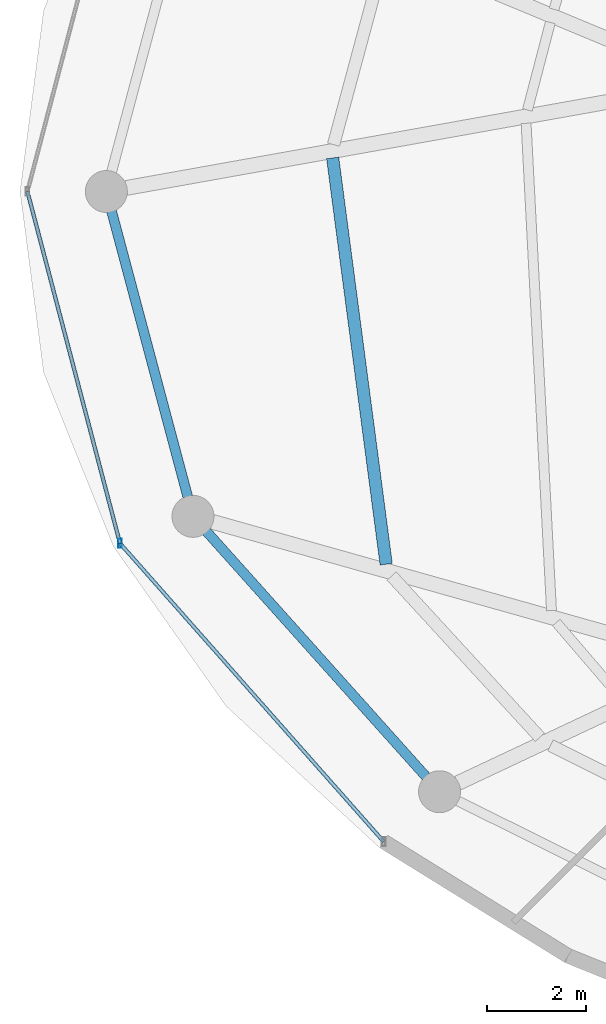
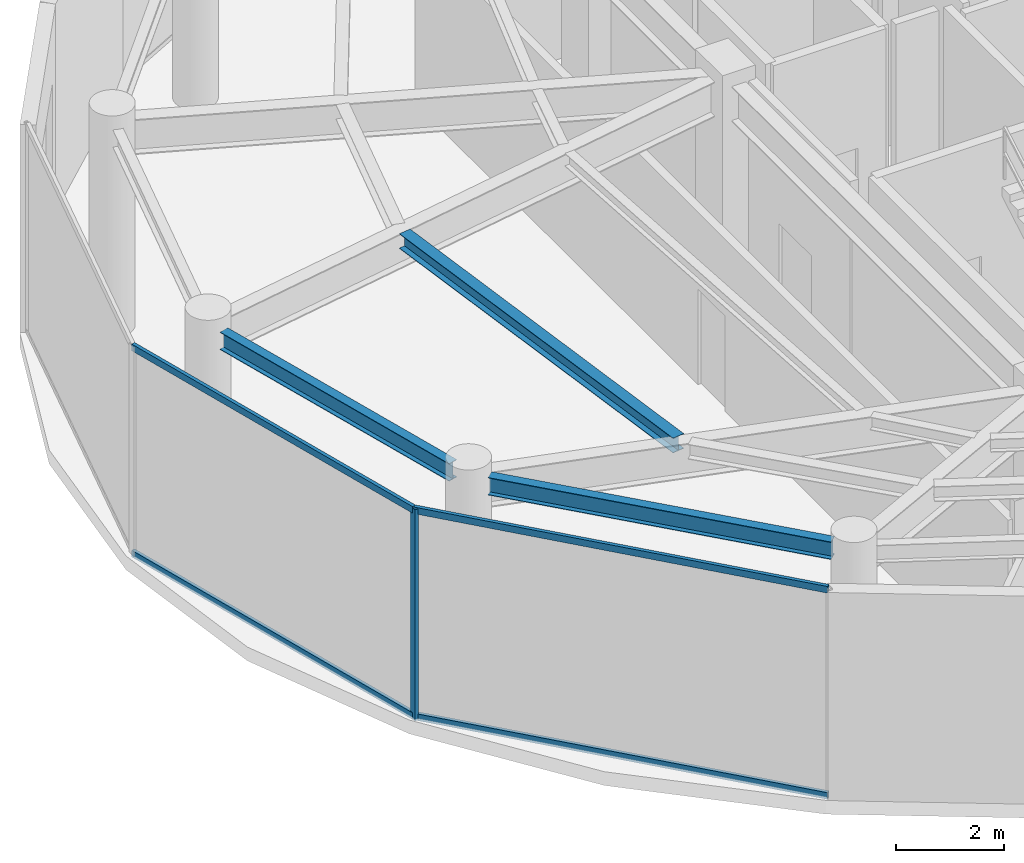
# One storey, part 3 of 24: 5 members, 3 beams, 1 element without a shape of its own.
"""IFC4 building model written with IfcOpenShell, lengths in metres."""

from ifc_helpers import new_model, si_unit, direction, frame, origin, origin_2d, place, context, subcontext, project, spatial, hollow_rectangle, i_section, extrude, material, material_profile, profile_set, type_object, element, aggregate, save


model = new_model("IFC4")

# Units and contexts
model_context = context("Model", 3, precision=1e-05, world=origin(), true_north=direction((0.0, 1.0)))
body_context = subcontext(model_context, "Body", "Model", "MODEL_VIEW")
ifc_project = project(units=[si_unit("LENGTHUNIT", "METRE"), si_unit("AREAUNIT", "SQUARE_METRE"), si_unit("VOLUMEUNIT", "CUBIC_METRE"), si_unit("PLANEANGLEUNIT", "RADIAN"), si_unit("MASSUNIT", "GRAM", prefix="KILO")], contexts=[model_context])

# Site, building, storey
site_placement = place(None, origin())
site = spatial("IfcSite", under=ifc_project, at=site_placement, CompositionType="ELEMENT")
building_placement = place(site_placement, origin())
building = spatial("IfcBuilding", under=site, at=building_placement, Name="Vorneva Point Tower", CompositionType="ELEMENT")
storey_placement = place(building_placement, frame((0.0, 0.0, 285.39990234375)))
storey = spatial("IfcBuildingStorey", under=building, at=storey_placement, Name="L77", CompositionType="ELEMENT", Elevation=285.39990234375)

# Beams
ifc_material_1 = material(Name="Steel S355", Category="steel")
ifc_material_profile_1 = material_profile(ifc_material_1, i_section(OverallWidth=0.2490234375, OverallDepth=0.333984375, WebThickness=0.008056640625, FlangeThickness=0.010986328125, at=origin_2d()), Name="35Sh1")
ifc_profile_set_1 = profile_set([ifc_material_profile_1], Name="Steel S355")
beam_type_1 = type_object("IfcBeamType", Name="BM-SEC-35Sh1", PredefinedType="BEAM", material=ifc_profile_set_1)
beam_1_placement = place(storey_placement, frame((19.53564453125, 26.68017578125, 4.523193359375), z_axis=(0.13054578094, -0.991442282273, 0.0), x_axis=(0.991442282273, 0.13054578094, 0.0)))
element("IfcBeam", 1, at=beam_1_placement, inside=storey, type_object=beam_type_1, Name="L77 Secondary Floor Beam 1.09", PredefinedType="BEAM", context=body_context, shape_type="SweptSolid", body=[
    extrude(i_section(OverallWidth=0.2490234375, OverallDepth=0.333984375, WebThickness=0.008056640625, FlangeThickness=0.010986328125, at=origin_2d()), origin(), (0.0, 0.0, 1.0), 8.303466796875),
])
ifc_material_profile_2 = material_profile(ifc_material_1, i_section(OverallWidth=0.198974609375, OverallDepth=0.39599609375, WebThickness=0.007080078125, FlangeThickness=0.010986328125, at=origin_2d()), Name="40B1")
ifc_profile_set_2 = profile_set([ifc_material_profile_2], Name="Steel S355")
beam_type_2 = type_object("IfcBeamType", Name="BM-SPN-40B1", PredefinedType="SPANDREL", material=ifc_profile_set_2)
beam_2_placement = place(storey_placement, frame((15.0556640625, 25.603759765625, 4.4921875), z_axis=(0.257586570866, -0.966255224312, 0.0), x_axis=(0.966255224312, 0.257586570866, 0.0)))
element("IfcBeam", 2, at=beam_2_placement, inside=storey, type_object=beam_type_2, Name="L77 Perimeter Spandrel Ring Beam 09", PredefinedType="SPANDREL", context=body_context, shape_type="SweptSolid", body=[
    extrude(i_section(OverallWidth=0.198974609375, OverallDepth=0.39599609375, WebThickness=0.007080078125, FlangeThickness=0.010986328125, at=origin_2d()), origin(), (0.0, 0.0, 1.0), 5.991943359375),
])
beam_3_placement = place(storey_placement, frame((16.97802734375, 19.1123046875, 4.4921875), z_axis=(0.667108282638, -0.744960763554, 0.0), x_axis=(0.744960763554, 0.667108282638, 0.0)))
element("IfcBeam", 3, at=beam_3_placement, inside=storey, type_object=beam_type_2, Name="L77 Perimeter Spandrel Ring Beam 10", PredefinedType="SPANDREL", context=body_context, shape_type="SweptSolid", body=[
    extrude(i_section(OverallWidth=0.198974609375, OverallDepth=0.39599609375, WebThickness=0.007080078125, FlangeThickness=0.010986328125, at=origin_2d()), origin(), (0.0, 0.0, 1.0), 6.670166015625),
])

# Curtain wall, members
ifc_material_2 = material(Name="Pale anodised aluminium", Category="aluminium")
curtain_wall_type = type_object("IfcCurtainWallType", Name="CW-OBS-SYS", PredefinedType="NOTDEFINED", material=ifc_material_2)
curtain_wall_placement = place(storey_placement, origin())
curtain_wall = element("IfcCurtainWall", 4, at=curtain_wall_placement, inside=storey, type_object=curtain_wall_type, Name="L77 Unitised Curtain Wall CW-L77-R03", PredefinedType="NOTDEFINED")
ifc_material_profile_3 = material_profile(ifc_material_2, hollow_rectangle(XDim=0.074951171875, YDim=0.179931640625, WallThickness=0.00390625, at=origin_2d()), Name="AL-MUL 180x75x4")
ifc_profile_set_3 = profile_set([ifc_material_profile_3], Name="Pale anodised aluminium")
member_type_1 = type_object("IfcMemberType", Name="CW-MUL-180", PredefinedType="MULLION", material=ifc_profile_set_3)
member_1_placement = place(storey_placement, frame((15.226318359375, 18.87060546875, -0.039794921875), z_axis=(0.0, 0.0, 1.0), x_axis=(1.0, 0.0, 0.0)))
member_1 = element("IfcMember", 5, at=member_1_placement, type_object=member_type_1, Name="CW-L77-R03 Mullion 03", PredefinedType="MULLION", context=body_context, shape_type="SweptSolid", body=[
    extrude(hollow_rectangle(XDim=0.074951171875, YDim=0.179931640625, WallThickness=0.00390625, at=origin_2d()), origin(), (0.0, 0.0, 1.0), 4.760009765625),
])
ifc_material_profile_4 = material_profile(ifc_material_2, hollow_rectangle(XDim=0.074951171875, YDim=0.14990234375, WallThickness=0.00390625, at=origin_2d()), Name="AL-TRN 150x75x4")
ifc_profile_set_4 = profile_set([ifc_material_profile_4], Name="Pale anodised aluminium")
member_type_2 = type_object("IfcMemberType", Name="CW-TRN-150", PredefinedType="USERDEFINED", material=ifc_profile_set_4)
member_2_placement = place(storey_placement, frame((13.35009765625, 26.0, 0.02001953125), z_axis=(0.254501449741, -0.967072392368, 0.0), x_axis=(0.967072392368, 0.254501449741, 0.0)))
member_2 = element("IfcMember", 6, at=member_2_placement, type_object=member_type_2, Name="CW-L77-R03 Transom 02.1", ObjectType="TRANSOM", PredefinedType="USERDEFINED", context=body_context, shape_type="SweptSolid", body=[
    extrude(hollow_rectangle(XDim=0.074951171875, YDim=0.14990234375, WallThickness=0.00390625, at=origin_2d()), origin(), (0.0, 0.0, 1.0), 7.3720703125),
])
member_3_placement = place(storey_placement, frame((13.35009765625, 26.0, 4.670166015625), z_axis=(0.254501449741, -0.967072392368, 0.0), x_axis=(0.967072392368, 0.254501449741, 0.0)))
member_3 = element("IfcMember", 7, at=member_3_placement, type_object=member_type_2, Name="CW-L77-R03 Transom 02.2", ObjectType="TRANSOM", PredefinedType="USERDEFINED", context=body_context, shape_type="SweptSolid", body=[
    extrude(hollow_rectangle(XDim=0.074951171875, YDim=0.14990234375, WallThickness=0.00390625, at=origin_2d()), origin(), (0.0, 0.0, 1.0), 7.3720703125),
])
member_4_placement = place(storey_placement, frame((15.226318359375, 18.87060546875, 0.02001953125), z_axis=(0.66236098645, -0.749184839428, 0.0), x_axis=(0.749184839428, 0.66236098645, 0.0)))
member_4 = element("IfcMember", 8, at=member_4_placement, type_object=member_type_2, Name="CW-L77-R03 Transom 03.1", ObjectType="TRANSOM", PredefinedType="USERDEFINED", context=body_context, shape_type="SweptSolid", body=[
    extrude(hollow_rectangle(XDim=0.074951171875, YDim=0.14990234375, WallThickness=0.00390625, at=origin_2d()), origin(), (0.0, 0.0, 1.0), 8.0673828125),
])
member_5_placement = place(storey_placement, frame((15.226318359375, 18.87060546875, 4.670166015625), z_axis=(0.66236098645, -0.749184839428, 0.0), x_axis=(0.749184839428, 0.66236098645, 0.0)))
member_5 = element("IfcMember", 9, at=member_5_placement, type_object=member_type_2, Name="CW-L77-R03 Transom 03.2", ObjectType="TRANSOM", PredefinedType="USERDEFINED", context=body_context, shape_type="SweptSolid", body=[
    extrude(hollow_rectangle(XDim=0.074951171875, YDim=0.14990234375, WallThickness=0.00390625, at=origin_2d()), origin(), (0.0, 0.0, 1.0), 8.0673828125),
])
aggregate(curtain_wall, [member_1, member_2, member_3, member_4, member_5])

save(model, "model.ifc")
